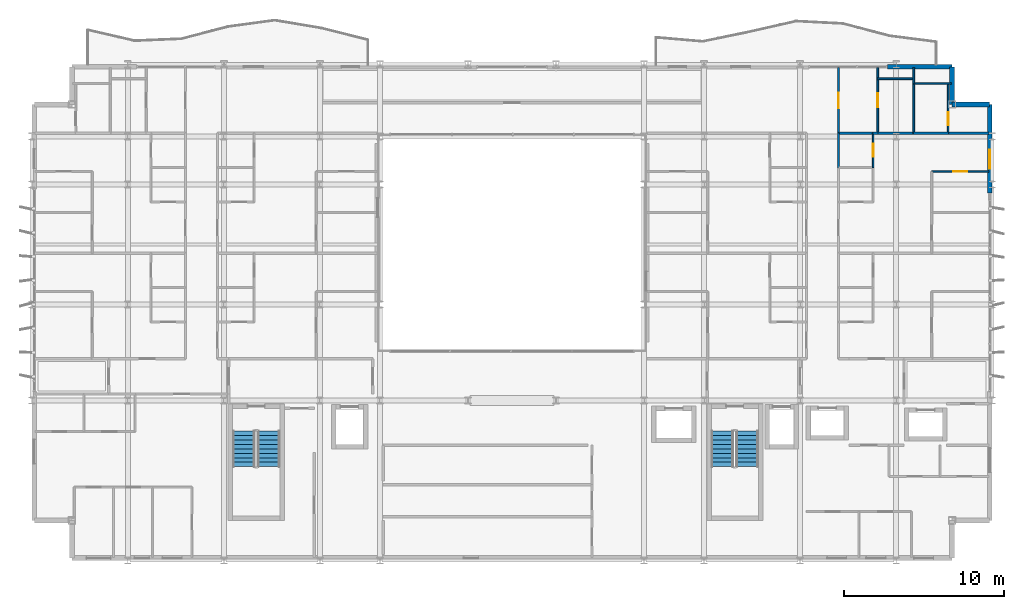
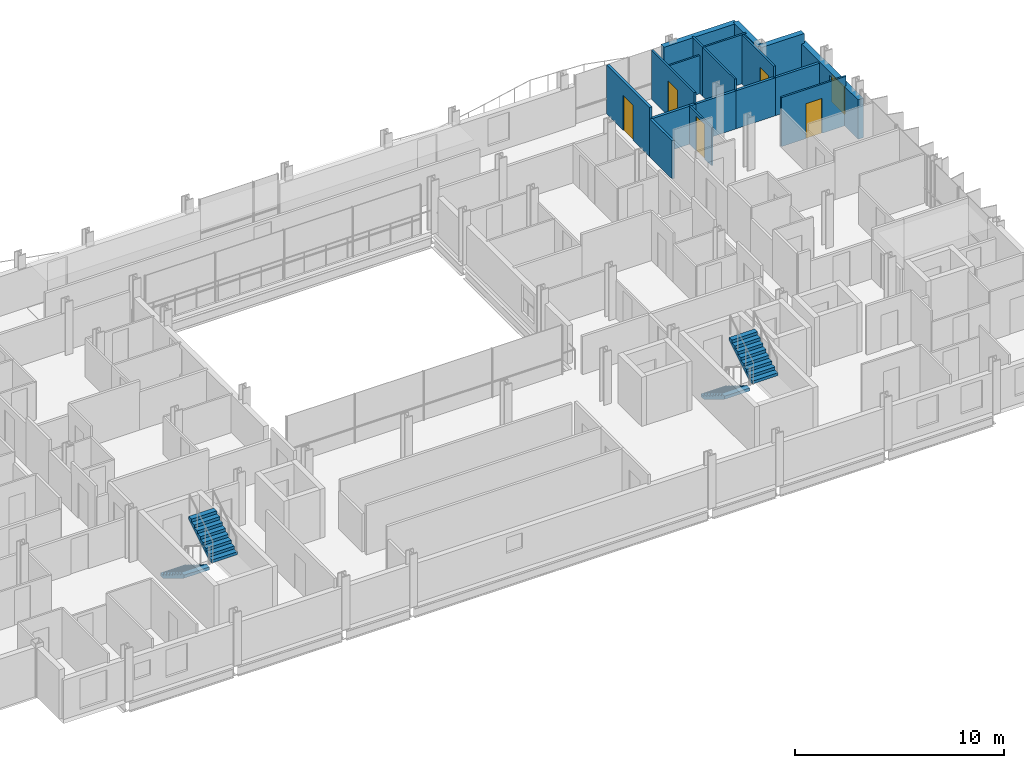
# One storey, part 33 of 39: 19 walls, 5 doors, 4 stair flights, 1 window, 6 openings, 2 elements without a shape of their own.
"""IFC4 building model written with IfcOpenShell, lengths in metres."""

import ifcopenshell
import ifcopenshell.guid

model = None  # the IFC model being written
_history = None  # IfcOwnerHistory: only IFC2X3 demands one
_inside = {}  # id of a spatial element -> (the spatial element, [elements in it])
_under = {}  # id of a project, library or spatial element -> (it, [spatial elements below it])
_declared = {}  # id of a project -> (the project, [libraries it declares])
_typed = {}  # id of a type object -> (the type object, [elements of that type])
_made_of = {}  # id of a material, layer set ... -> (it, [elements and type objects made of it])


def new_model(schema):
    """Start an empty IFC model of exactly this schema.

    Asked for "IFC4X3", IfcOpenShell would pick the latest addendum, in which some entities
    have other attributes; the version numbers below select the first issue.
    IFC2X3 requires an IfcOwnerHistory on every rooted entity: one is made here for all.
    """
    global model, _history
    if schema == "IFC4X3":
        model = ifcopenshell.file(schema_version=(4, 3, 0, 0))
    else:
        model = ifcopenshell.file(schema=schema)
    _inside.clear()
    _under.clear()
    _declared.clear()
    _typed.clear()
    _made_of.clear()
    _history = None
    if model.schema == "IFC2X3":
        org = make("IfcOrganization", Name="unknown")
        user = make(
            "IfcPersonAndOrganization",
            ThePerson=make("IfcPerson", FamilyName="unknown"),
            TheOrganization=org,
        )
        app = make(
            "IfcApplication",
            ApplicationDeveloper=org,
            Version="unknown",
            ApplicationFullName="unknown",
            ApplicationIdentifier="unknown",
        )
        _history = make(
            "IfcOwnerHistory",
            OwningUser=user,
            OwningApplication=app,
            ChangeAction="ADDED",
            CreationDate=0,
        )
    return model


def make(cls, **values):
    """One entity of the class cls with the attributes given. An attribute that is None is left unset."""
    return model.create_entity(
        cls, **{name: value for name, value in values.items() if value is not None}
    )


def rooted(cls, **values):
    """An entity with a GlobalId (a new one), such as an element, a storey or a relation."""
    return make(cls, GlobalId=ifcopenshell.guid.new(), OwnerHistory=_history, **values)


def si_unit(unit_type, name, prefix=None):
    """IfcSIUnit, for example si_unit("LENGTHUNIT", "METRE", prefix="MILLI")."""
    return make("IfcSIUnit", UnitType=unit_type, Prefix=prefix, Name=name)


def assignment(units):
    """IfcUnitAssignment: the units of a project."""
    return None if units is None else make("IfcUnitAssignment", Units=units)


def point(xyz):
    """IfcCartesianPoint."""
    return None if xyz is None else make("IfcCartesianPoint", Coordinates=xyz)


def direction(xyz):
    """IfcDirection."""
    return None if xyz is None else make("IfcDirection", DirectionRatios=xyz)


def frame(location, z_axis=None, x_axis=None):
    """IfcAxis2Placement3D, a coordinate frame: its origin and axes. An axis left out is left unset."""
    return make(
        "IfcAxis2Placement3D",
        Location=point(location),
        Axis=direction(z_axis),
        RefDirection=direction(x_axis),
    )


def frame_2d(location, x_axis=None):
    """IfcAxis2Placement2D, a coordinate frame in the plane: its origin and x axis."""
    return make(
        "IfcAxis2Placement2D", Location=point(location), RefDirection=direction(x_axis)
    )


def origin():
    """The frame at (0, 0, 0) with its axes left unset."""
    return frame((0.0, 0.0, 0.0))


def place(relative_to, where):
    """IfcLocalPlacement: puts the frame where relative to a parent placement (None: the world)."""
    return make(
        "IfcLocalPlacement", PlacementRelTo=relative_to, RelativePlacement=where
    )


def context(
    kind, dimensions, precision=None, world=None, true_north=None, identifier=None
):
    """IfcGeometricRepresentationContext, for example the 3D "Model" context."""
    return make(
        "IfcGeometricRepresentationContext",
        ContextIdentifier=identifier,
        ContextType=kind,
        CoordinateSpaceDimension=dimensions,
        Precision=precision,
        WorldCoordinateSystem=world,
        TrueNorth=true_north,
    )


def subcontext(parent, identifier, kind, view, scale=None):
    """IfcGeometricRepresentationSubContext, for example "Body" below "Model"."""
    return make(
        "IfcGeometricRepresentationSubContext",
        ContextIdentifier=identifier,
        ContextType=kind,
        ParentContext=parent,
        TargetScale=scale,
        TargetView=view,
    )


def project(units=None, contexts=None):
    """IfcProject with its units and contexts."""
    return rooted(
        "IfcProject",
        Name="project",
        RepresentationContexts=contexts,
        UnitsInContext=assignment(units),
    )


def spatial(cls, under=None, at=None, **own):
    """A site, building, storey or space (cls), placed at a placement, below another one or the project."""
    s = rooted(cls, ObjectPlacement=at, **own)
    if under is not None:
        _under.setdefault(under.id(), (under, []))[1].append(s)
    return s


def polyline(points):
    """IfcPolyline through the points."""
    return make("IfcPolyline", Points=[point(p) for p in points])


def profile(cls, at=None, kind="AREA", **sizes):
    """A parametric profile (cls). Its sizes go by their IFC names, for example OverallWidth=200.0."""
    return make(cls, ProfileType=kind, Position=at, **sizes)


def rectangle(**sizes):
    """IfcRectangleProfileDef."""
    return profile("IfcRectangleProfileDef", **sizes)


def outline(outer, holes=None, kind="AREA"):
    """IfcArbitraryClosedProfileDef: a profile drawn as a closed curve; with holes, ...WithVoids."""
    if holes is None:
        return make("IfcArbitraryClosedProfileDef", ProfileType=kind, OuterCurve=outer)
    return make(
        "IfcArbitraryProfileDefWithVoids",
        ProfileType=kind,
        OuterCurve=outer,
        InnerCurves=holes,
    )


def extrude(swept, where, along, depth):
    """IfcExtrudedAreaSolid: the profile swept, set in the frame where, extruded along a direction by depth."""
    return make(
        "IfcExtrudedAreaSolid",
        SweptArea=swept,
        Position=where,
        ExtrudedDirection=direction(along),
        Depth=depth,
    )


def shape(context_of_items, identifier, shape_type, items):
    """IfcShapeRepresentation: the items that make up one representation, for example the "Body"."""
    return make(
        "IfcShapeRepresentation",
        ContextOfItems=context_of_items,
        RepresentationIdentifier=identifier,
        RepresentationType=shape_type,
        Items=items,
    )


def material(Name=None, Category=None):
    """IfcMaterial."""
    return make("IfcMaterial", Name=Name, Category=Category)


def layer(
    of_material, thickness, ventilated=None, Name=None, Category=None, Priority=None
):
    """IfcMaterialLayer: one layer of a wall or slab, of a material (None: an air gap)."""
    return make(
        "IfcMaterialLayer",
        Material=of_material,
        LayerThickness=thickness,
        IsVentilated=ventilated,
        Name=Name,
        Category=Category,
        Priority=Priority,
    )


def layer_set(layers, Name=None):
    """IfcMaterialLayerSet."""
    return make("IfcMaterialLayerSet", MaterialLayers=layers, LayerSetName=Name)


def made_of(thing, what):
    """Note that an element or type object is made of a material, layer set ...; save() writes the relation."""
    if what is not None:
        _made_of.setdefault(what.id(), (what, []))[1].append(thing)
    return thing


def type_object(cls, material=None, **own):
    """A type object (cls), such as IfcWallType, which elements share."""
    return made_of(rooted(cls, **own), material)


def element(
    cls,
    number,
    at=None,
    inside=None,
    cuts=None,
    type_object=None,
    material=None,
    context=None,
    identifier="Body",
    shape_type=None,
    held_by="IfcProductDefinitionShape",
    body=None,
    shapes=None,
    **own,
):
    """One element of the class cls, such as IfcWall. Its Tag is "e" and its number.

    at: its placement. inside: the storey or other place that contains it. cuts: it is an
    opening in that element (IfcRelVoidsElement). A single representation is given by context,
    identifier, shape_type and body (its items); several are given by shapes. held_by: the class
    of the entity that holds the representations. save() writes the other relations.
    """
    e = rooted(cls, Tag="e%d" % number, ObjectPlacement=at, **own)
    if body is not None:
        shapes = [shape(context, identifier, shape_type, body)]
    if shapes is not None:
        e.Representation = make(held_by, Representations=shapes)
    if inside is not None:
        _inside.setdefault(inside.id(), (inside, []))[1].append(e)
    if cuts is not None:
        rooted(
            "IfcRelVoidsElement", RelatingBuildingElement=cuts, RelatedOpeningElement=e
        )
    if type_object is not None:
        _typed.setdefault(type_object.id(), (type_object, []))[1].append(e)
    return made_of(e, material)


def fill(opening, filler):
    """IfcRelFillsElement: the door or window that sits in an opening."""
    return rooted(
        "IfcRelFillsElement",
        RelatingOpeningElement=opening,
        RelatedBuildingElement=filler,
    )


def aggregate(whole, parts):
    """IfcRelAggregates: a whole, such as a stair, and the parts it consists of."""
    return rooted("IfcRelAggregates", RelatingObject=whole, RelatedObjects=parts)


def save(model, path):
    """Write the relations noted so far, then the file.

    IfcRelAggregates (storeys below a building ...), IfcRelContainedInSpatialStructure (elements
    in a storey), IfcRelDefinesByType, IfcRelAssociatesMaterial and IfcRelDeclares: one each for
    every whole, place, type object, material and project.
    """
    for whole, parts in _under.values():
        aggregate(whole, parts)
    for where, things in _inside.values():
        rooted(
            "IfcRelContainedInSpatialStructure",
            RelatedElements=things,
            RelatingStructure=where,
        )
    for kind, things in _typed.values():
        rooted("IfcRelDefinesByType", RelatedObjects=things, RelatingType=kind)
    for what, things in _made_of.values():
        rooted("IfcRelAssociatesMaterial", RelatedObjects=things, RelatingMaterial=what)
    for by, libraries in _declared.values():
        rooted("IfcRelDeclares", RelatingContext=by, RelatedDefinitions=libraries)
    model.write(path)


model = new_model("IFC4")

# Units and contexts
model_context = context("Model", 3, precision=1e-05, world=origin(), true_north=direction((0.0, 1.0)))
body_context = subcontext(model_context, "Body", "Model", "MODEL_VIEW")
ifc_project = project(units=[si_unit("LENGTHUNIT", "METRE"), si_unit("AREAUNIT", "SQUARE_METRE"), si_unit("VOLUMEUNIT", "CUBIC_METRE"), si_unit("PLANEANGLEUNIT", "RADIAN"), si_unit("MASSUNIT", "GRAM", prefix="KILO")], contexts=[model_context])

# Site, building, storey
site_placement = place(None, origin())
site = spatial("IfcSite", under=ifc_project, at=site_placement, CompositionType="ELEMENT")
building_placement = place(site_placement, origin())
building = spatial("IfcBuilding", under=site, at=building_placement, Name="Brevholm Reach", CompositionType="ELEMENT")
storey_placement = place(building_placement, frame((0.0, 0.0, 83.800048828125)))
storey = spatial("IfcBuildingStorey", under=building, at=storey_placement, Name="L24", CompositionType="ELEMENT", Elevation=83.800048828125)

# Walls
ifc_material_1 = material(Name="Concrete C40/50", Category="concrete")
ifc_layer_1 = layer(ifc_material_1, 0.300048828125)
ifc_layer_set_1 = layer_set([ifc_layer_1], Name="Concrete C40/50")
wall_type_1 = type_object("IfcWallType", Name="WAL-EXT-300", PredefinedType="STANDARD", material=ifc_layer_set_1)
for number, where, z_axis, x_axis, name in (
    (1, (59.85009765625, 28.5, 0.0), (0.0, 0.0, 1.0), (-1.0, 0.0, 0.0), "L24 Facade Wall WAL-L24-CNE1"),
    (2, (57.5, 28.5, 0.0), (0.0, 0.0, 1.0), (0.0, 1.0, 0.0), "L24 Facade Wall WAL-L24-CNE2"),
):
    element("IfcWall", number, at=place(storey_placement, frame(where, z_axis=z_axis, x_axis=x_axis)), inside=storey, type_object=wall_type_1, Name=name, PredefinedType="STANDARD", context=body_context, shape_type="SweptSolid", body=[
        extrude(rectangle(XDim=2.35009765625, YDim=0.300048828125, at=frame_2d((1.175048828125, 0.0))), origin(), (0.0, 0.0, 1.0), 2.869873046875),
    ])

# Wall, opening, window
wall_1_placement = place(storey_placement, frame((59.85009765625, 22.949951171875, 0.0), z_axis=(0.0, 0.0, 1.0), x_axis=(0.0, 1.0, 0.0)))
wall_1 = element("IfcWall", 3, at=wall_1_placement, inside=storey, type_object=wall_type_1, Name="L24 Facade Wall WAL-L24-E-N", PredefinedType="STANDARD", context=body_context, shape_type="SweptSolid", body=[
    extrude(rectangle(XDim=5.550048828125, YDim=0.300048828125, at=frame_2d((2.77490234375, 0.0))), origin(), (0.0, 0.0, 1.0), 2.305419921875),
])
opening_1_placement = place(wall_1_placement, frame((1.530029296875, 0.0, 0.486083984375)))
opening_1 = element("IfcOpeningElement", 4, at=opening_1_placement, cuts=wall_1, Name="Opening WN-08", PredefinedType="OPENING", context=body_context, shape_type="SweptSolid", body=[
    extrude(rectangle(XDim=1.199951171875, YDim=1.60009765625, at=frame_2d((0.60009765625, 0.800048828125))), frame((0.0, 0.159912109375, 0.0), z_axis=(0.0, -1.0, 0.0), x_axis=(1.0, 0.0, 0.0)), (0.0, 0.0, 1.0), 0.320068359375),
])
ifc_material_2 = material(Name="Dark Anodised Aluminium and Solar-Control IGU Glass", Category="aluminium")
window_type = type_object("IfcWindowType", Name="WIN-RES-1200", PartitioningType="SINGLE_PANEL", PredefinedType="WINDOW", material=ifc_material_2)
window_placement = place(opening_1_placement, origin())
window = element("IfcWindow", 5, at=window_placement, inside=storey, type_object=window_type, Name="L24 Window WIN-L24-EN-1", OverallHeight=1.60009765625, OverallWidth=1.199951171875, PartitioningType="SINGLE_PANEL", PredefinedType="WINDOW", context=body_context, shape_type="SweptSolid", body=[
    extrude(rectangle(XDim=1.199951171875, YDim=1.60009765625, at=frame_2d((0.60009765625, 0.800048828125))), frame((0.0, 0.030029296875, 0.0), z_axis=(0.0, -1.0, 0.0), x_axis=(1.0, 0.0, 0.0)), (0.0, 0.0, 1.0), 0.06005859375),
])
fill(opening_1, window)

# Wall
wall_2_placement = place(storey_placement, frame((53.449951171875, 30.85009765625, 0.0), z_axis=(0.0, 0.0, 1.0), x_axis=(1.0, 0.0, 0.0)))
element("IfcWall", 6, at=wall_2_placement, inside=storey, type_object=wall_type_1, Name="L24 Facade Wall WAL-L24-NP-E0", PredefinedType="STANDARD", context=body_context, shape_type="SweptSolid", body=[
    extrude(rectangle(XDim=4.050048828125, YDim=0.300048828125, at=frame_2d((2.02490234375, 0.0))), origin(), (0.0, 0.0, 1.0), 2.869873046875),
])

# Wall, opening, door
ifc_material_3 = material(Name="Moisture-Resistant Acoustic Gypsum Stud Partition 100 mm", Category="gypsum")
ifc_layer_2 = layer(ifc_material_3, 0.10009765625)
ifc_layer_set_2 = layer_set([ifc_layer_2], Name="Moisture-Resistant Acoustic Gypsum Stud Partition 100 mm")
wall_type_2 = type_object("IfcWallType", Name="WAL-PRT-100", PredefinedType="PARTITIONING", material=ifc_layer_set_2)
wall_3_placement = place(storey_placement, frame((52.56201171875, 24.550048828125, 0.0), z_axis=(0.0, 0.0, 1.0), x_axis=(0.0, 1.0, 0.0)))
wall_3 = element("IfcWall", 7, at=wall_3_placement, inside=storey, type_object=wall_type_2, Name="L24 Internal Partition 152", PredefinedType="PARTITIONING", context=body_context, shape_type="SweptSolid", body=[
    extrude(rectangle(XDim=2.14990234375, YDim=0.10009765625, at=frame_2d((1.074951171875, 0.0))), origin(), (0.0, 0.0, 1.0), 2.224853515625),
])
opening_2_placement = place(wall_3_placement, frame((0.6650390625, 0.0, 0.0)))
opening_2 = element("IfcOpeningElement", 8, at=opening_2_placement, cuts=wall_3, Name="Opening ID-03", PredefinedType="OPENING", context=body_context, shape_type="SweptSolid", body=[
    extrude(rectangle(XDim=0.820068359375, YDim=2.02001953125, at=frame_2d((0.41015625, 1.010009765625))), frame((0.0, 0.06005859375, 0.0), z_axis=(0.0, -1.0, 0.0), x_axis=(1.0, 0.0, 0.0)), (0.0, 0.0, 1.0), 0.1201171875),
])
ifc_material_4 = material(Name="Moisture-Resistant Painted Timber Internal Bathroom Door", Category="wood")
door_type_1 = type_object("IfcDoorType", Name="DOR-BATH-820", OperationType="NOTDEFINED", PredefinedType="DOOR", material=ifc_material_4)
door_1_placement = place(opening_2_placement, origin())
door_1 = element("IfcDoor", 9, at=door_1_placement, inside=storey, type_object=door_type_1, Name="L24 Internal Door 058", OperationType="SINGLE_SWING_LEFT", OverallHeight=2.02001953125, OverallWidth=0.820068359375, PredefinedType="DOOR", context=body_context, shape_type="SweptSolid", body=[
    extrude(rectangle(XDim=0.820068359375, YDim=2.02001953125, at=frame_2d((0.41015625, 1.010009765625))), frame((0.0, 0.02490234375, 0.0), z_axis=(0.0, -1.0, 0.0), x_axis=(1.0, 0.0, 0.0)), (0.0, 0.0, 1.0), 0.050048828125),
])
fill(opening_2, door_1)

wall_4_placement = place(storey_placement, frame((56.22802734375, 24.300048828125, 0.0), z_axis=(0.0, 0.0, 1.0), x_axis=(1.0, 0.0, 0.0)))
wall_4 = element("IfcWall", 10, at=wall_4_placement, inside=storey, type_object=wall_type_2, Name="L24 Internal Partition 158", PredefinedType="PARTITIONING", context=body_context, shape_type="SweptSolid", body=[
    extrude(rectangle(XDim=3.572021484375, YDim=0.10009765625, at=frame_2d((1.7861328125, 0.0))), origin(), (0.0, 0.0, 1.0), 2.869873046875),
])
opening_3_placement = place(wall_4_placement, frame((1.345947265625, 0.0, 0.0)))
opening_3 = element("IfcOpeningElement", 11, at=opening_3_placement, cuts=wall_4, Name="Opening ID-01", PredefinedType="OPENING", context=body_context, shape_type="SweptSolid", body=[
    extrude(rectangle(XDim=0.8798828125, YDim=2.0400390625, at=frame_2d((0.43994140625, 1.02001953125))), frame((0.0, 0.06005859375, 0.0), z_axis=(0.0, -1.0, 0.0), x_axis=(1.0, 0.0, 0.0)), (0.0, 0.0, 1.0), 0.1201171875),
])
ifc_material_5 = material(Name="Lacquered Ash Solid-Core Acoustic Internal Door", Category="timber")
door_type_2 = type_object("IfcDoorType", Name="DOR-INT-880", OperationType="NOTDEFINED", PredefinedType="DOOR", material=ifc_material_5)
door_2_placement = place(opening_3_placement, origin())
door_2 = element("IfcDoor", 12, at=door_2_placement, inside=storey, type_object=door_type_2, Name="L24 Internal Door 061", OperationType="SINGLE_SWING_RIGHT", OverallHeight=2.0400390625, OverallWidth=0.8798828125, PredefinedType="DOOR", context=body_context, shape_type="SweptSolid", body=[
    extrude(rectangle(XDim=0.8798828125, YDim=2.0400390625, at=frame_2d((0.43994140625, 1.02001953125))), frame((0.0, 0.02490234375, 0.0), z_axis=(0.0, -1.0, 0.0), x_axis=(1.0, 0.0, 0.0)), (0.0, 0.0, 1.0), 0.050048828125),
])
fill(opening_3, door_2)

# Wall
wall_5_placement = place(storey_placement, frame((55.10009765625, 26.7041015625, 0.0), z_axis=(0.0, 0.0, 1.0), x_axis=(0.0, 1.0, 0.0)))
element("IfcWall", 13, at=wall_5_placement, inside=storey, type_object=wall_type_2, Name="L24 Internal Partition 170", PredefinedType="PARTITIONING", context=body_context, shape_type="SweptSolid", body=[
    extrude(rectangle(XDim=3.095947265625, YDim=0.10009765625, at=frame_2d((1.5478515625, 0.0))), origin(), (0.0, 0.0, 1.0), 2.869873046875),
])

# Wall, opening, door
wall_6_placement = place(storey_placement, frame((57.25, 26.7041015625, 0.0), z_axis=(0.0, 0.0, 1.0), x_axis=(0.0, 1.0, 0.0)))
wall_6 = element("IfcWall", 14, at=wall_6_placement, inside=storey, type_object=wall_type_2, Name="L24 Internal Partition 171", PredefinedType="PARTITIONING", context=body_context, shape_type="SweptSolid", body=[
    extrude(rectangle(XDim=3.095947265625, YDim=0.10009765625, at=frame_2d((1.5478515625, 0.0))), origin(), (0.0, 0.0, 1.0), 2.869873046875),
])
opening_4_placement = place(wall_6_placement, frame((0.47802734375, 0.0, 0.0)))
opening_4 = element("IfcOpeningElement", 15, at=opening_4_placement, cuts=wall_6, Name="Opening ID-03", PredefinedType="OPENING", context=body_context, shape_type="SweptSolid", body=[
    extrude(rectangle(XDim=0.820068359375, YDim=2.02001953125, at=frame_2d((0.41015625, 1.010009765625))), frame((0.0, 0.06005859375, 0.0), z_axis=(0.0, -1.0, 0.0), x_axis=(1.0, 0.0, 0.0)), (0.0, 0.0, 1.0), 0.1201171875),
])
door_3_placement = place(opening_4_placement, origin())
door_3 = element("IfcDoor", 16, at=door_3_placement, inside=storey, type_object=door_type_1, Name="L24 Internal Door 064", OperationType="SINGLE_SWING_LEFT", OverallHeight=2.02001953125, OverallWidth=0.820068359375, PredefinedType="DOOR", context=body_context, shape_type="SweptSolid", body=[
    extrude(rectangle(XDim=0.820068359375, YDim=2.02001953125, at=frame_2d((0.41015625, 1.010009765625))), frame((0.0, 0.02490234375, 0.0), z_axis=(0.0, -1.0, 0.0), x_axis=(1.0, 0.0, 0.0)), (0.0, 0.0, 1.0), 0.050048828125),
])
fill(opening_4, door_3)

# Walls
wall_7_placement = place(storey_placement, frame((55.10009765625, 29.800048828125, 0.0), z_axis=(0.0, 0.0, 1.0), x_axis=(1.0, 0.0, 0.0)))
element("IfcWall", 17, at=wall_7_placement, inside=storey, type_object=wall_type_2, Name="L24 Internal Partition 172", PredefinedType="PARTITIONING", context=body_context, shape_type="SweptSolid", body=[
    extrude(rectangle(XDim=2.349853515625, YDim=0.10009765625, at=frame_2d((1.1748046875, 0.0))), origin(), (0.0, 0.0, 1.0), 2.869873046875),
])
wall_8_placement = place(storey_placement, frame((55.10009765625, 29.803955078125, 0.0), z_axis=(0.0, 0.0, 1.0), x_axis=(0.0, 1.0, 0.0)))
element("IfcWall", 18, at=wall_8_placement, inside=storey, type_object=wall_type_2, Name="L24 Internal Partition 173", PredefinedType="PARTITIONING", context=body_context, shape_type="SweptSolid", body=[
    extrude(rectangle(XDim=0.99609375, YDim=0.10009765625, at=frame_2d((0.498046875, 0.0))), origin(), (0.0, 0.0, 1.0), 2.869873046875),
])
wall_9_placement = place(storey_placement, frame((52.85009765625, 30.10009765625, 0.0), z_axis=(0.0, 0.0, 1.0), x_axis=(1.0, 0.0, 0.0)))
element("IfcWall", 19, at=wall_9_placement, inside=storey, type_object=wall_type_2, Name="L24 Internal Partition 174", PredefinedType="PARTITIONING", context=body_context, shape_type="SweptSolid", body=[
    extrude(rectangle(XDim=2.25, YDim=0.10009765625, at=frame_2d((1.125, 0.0))), origin(), (0.0, 0.0, 1.0), 2.224853515625),
])

# Wall, opening, door
wall_10_placement = place(storey_placement, frame((52.85009765625, 26.7041015625, 0.0), z_axis=(0.0, 0.0, 1.0), x_axis=(0.0, 1.0, 0.0)))
wall_10 = element("IfcWall", 20, at=wall_10_placement, inside=storey, type_object=wall_type_2, Name="L24 Internal Partition 175", PredefinedType="PARTITIONING", context=body_context, shape_type="SweptSolid", body=[
    extrude(rectangle(XDim=4.095947265625, YDim=0.10009765625, at=frame_2d((2.0478515625, 0.0))), origin(), (0.0, 0.0, 1.0), 2.869873046875),
])
opening_5_placement = place(wall_10_placement, frame((1.60791015625, 0.0, 0.0)))
opening_5 = element("IfcOpeningElement", 21, at=opening_5_placement, cuts=wall_10, Name="Opening ID-01", PredefinedType="OPENING", context=body_context, shape_type="SweptSolid", body=[
    extrude(rectangle(XDim=0.8798828125, YDim=2.0400390625, at=frame_2d((0.43994140625, 1.02001953125))), frame((0.0, 0.06005859375, 0.0), z_axis=(0.0, -1.0, 0.0), x_axis=(1.0, 0.0, 0.0)), (0.0, 0.0, 1.0), 0.1201171875),
])
door_4_placement = place(opening_5_placement, origin())
door_4 = element("IfcDoor", 22, at=door_4_placement, inside=storey, type_object=door_type_2, Name="L24 Internal Door 065", OperationType="SINGLE_SWING_RIGHT", OverallHeight=2.0400390625, OverallWidth=0.8798828125, PredefinedType="DOOR", context=body_context, shape_type="SweptSolid", body=[
    extrude(rectangle(XDim=0.8798828125, YDim=2.0400390625, at=frame_2d((0.43994140625, 1.02001953125))), frame((0.0, 0.02490234375, 0.0), z_axis=(0.0, -1.0, 0.0), x_axis=(1.0, 0.0, 0.0)), (0.0, 0.0, 1.0), 0.050048828125),
])
fill(opening_5, door_4)

# Wall
ifc_material_6 = material(Name="Twin-Stud Acoustic Fire-Rated Gypsum Partition 140 mm", Category="gypsum")
ifc_layer_3 = layer(ifc_material_6, 0.139892578125)
ifc_layer_set_3 = layer_set([ifc_layer_3], Name="Twin-Stud Acoustic Fire-Rated Gypsum Partition 140 mm")
wall_type_3 = type_object("IfcWallType", Name="WAL-PRT-140", PredefinedType="PARTITIONING", material=ifc_layer_set_3)
wall_11_placement = place(storey_placement, frame((50.39990234375, 24.538818359375, 0.0), z_axis=(0.0, 0.0, 1.0), x_axis=(0.0, 1.0, 0.0)))
element("IfcWall", 23, at=wall_11_placement, inside=storey, type_object=wall_type_3, Name="L24 Internal Partition 050", PredefinedType="PARTITIONING", context=body_context, shape_type="SweptSolid", body=[
    extrude(rectangle(XDim=2.17236328125, YDim=0.139892578125, at=frame_2d((1.086181640625, 0.0))), origin(), (0.0, 0.0, 1.0), 2.224853515625),
])

# Wall, opening, door
wall_12_placement = place(storey_placement, frame((50.39990234375, 26.692626953125, 0.0), z_axis=(0.0, 0.0, 1.0), x_axis=(0.0, 1.0, 0.0)))
wall_12 = element("IfcWall", 24, at=wall_12_placement, inside=storey, type_object=wall_type_3, Name="L24 Internal Partition 053", PredefinedType="PARTITIONING", context=body_context, shape_type="SweptSolid", body=[
    extrude(rectangle(XDim=4.107421875, YDim=0.139892578125, at=frame_2d((2.0537109375, 0.0))), origin(), (0.0, 0.0, 1.0), 2.869873046875),
])
opening_6_placement = place(wall_12_placement, frame((1.57861328125, 0.0, 0.0)))
opening_6 = element("IfcOpeningElement", 25, at=opening_6_placement, cuts=wall_12, Name="Opening ID-30", PredefinedType="OPENING", context=body_context, shape_type="SweptSolid", body=[
    extrude(rectangle(XDim=0.949951171875, YDim=2.050048828125, at=frame_2d((0.47509765625, 1.02490234375))), frame((0.0, 0.079833984375, 0.0), z_axis=(0.0, -1.0, 0.0), x_axis=(1.0, 0.0, 0.0)), (0.0, 0.0, 1.0), 0.159912109375),
])
ifc_material_7 = material(Name="European Oak Veneered Solid-Core Fire Entrance Door", Category="timber")
door_type_3 = type_object("IfcDoorType", Name="DOR-FLT-FD30S", OperationType="NOTDEFINED", PredefinedType="DOOR", material=ifc_material_7)
door_5_placement = place(opening_6_placement, origin())
door_5 = element("IfcDoor", 26, at=door_5_placement, inside=storey, type_object=door_type_3, Name="L24 Internal Door 023", OperationType="SINGLE_SWING_RIGHT", OverallHeight=2.050048828125, OverallWidth=0.949951171875, PredefinedType="DOOR", context=body_context, shape_type="SweptSolid", body=[
    extrude(rectangle(XDim=0.949951171875, YDim=2.050048828125, at=frame_2d((0.47509765625, 1.02490234375))), frame((0.0, 0.02490234375, 0.0), z_axis=(0.0, -1.0, 0.0), x_axis=(1.0, 0.0, 0.0)), (0.0, 0.0, 1.0), 0.050048828125),
])
fill(opening_6, door_5)

# Walls
wall_13_placement = place(storey_placement, frame((50.404052734375, 26.699951171875, 0.0), z_axis=(0.0, 0.0, 1.0), x_axis=(1.0, 0.0, 0.0)))
element("IfcWall", 27, at=wall_13_placement, inside=storey, type_object=wall_type_3, Name="L24 Internal Partition 153", PredefinedType="PARTITIONING", context=body_context, shape_type="SweptSolid", body=[
    extrude(rectangle(XDim=2.157958984375, YDim=0.139892578125, at=frame_2d((1.0791015625, 0.0))), origin(), (0.0, 0.0, 1.0), 2.224853515625),
])
wall_14_placement = place(storey_placement, frame((55.088623046875, 26.699951171875, 0.0), z_axis=(0.0, 0.0, 1.0), x_axis=(1.0, 0.0, 0.0)))
element("IfcWall", 28, at=wall_14_placement, inside=storey, type_object=wall_type_3, Name="L24 Internal Partition 160", PredefinedType="PARTITIONING", context=body_context, shape_type="SweptSolid", body=[
    extrude(rectangle(XDim=2.172607421875, YDim=0.139892578125, at=frame_2d((1.08642578125, 0.0))), origin(), (0.0, 0.0, 1.0), 2.224853515625),
])
wall_15_placement = place(storey_placement, frame((52.838623046875, 26.699951171875, 0.0), z_axis=(0.0, 0.0, 1.0), x_axis=(1.0, 0.0, 0.0)))
element("IfcWall", 29, at=wall_15_placement, inside=storey, type_object=wall_type_3, Name="L24 Internal Partition 161", PredefinedType="PARTITIONING", context=body_context, shape_type="SweptSolid", body=[
    extrude(rectangle(XDim=2.268798828125, YDim=0.139892578125, at=frame_2d((1.13427734375, 0.0))), origin(), (0.0, 0.0, 1.0), 2.224853515625),
])
wall_16_placement = place(storey_placement, frame((57.24267578125, 26.699951171875, 0.0), z_axis=(0.0, 0.0, 1.0), x_axis=(1.0, 0.0, 0.0)))
element("IfcWall", 30, at=wall_16_placement, inside=storey, type_object=wall_type_3, Name="L24 Internal Partition 162", PredefinedType="PARTITIONING", context=body_context, shape_type="SweptSolid", body=[
    extrude(rectangle(XDim=2.557373046875, YDim=0.139892578125, at=frame_2d((1.27880859375, 0.0))), origin(), (0.0, 0.0, 1.0), 2.224853515625),
])
wall_17_placement = place(storey_placement, frame((52.56591796875, 26.699951171875, 0.0), z_axis=(0.0, 0.0, 1.0), x_axis=(1.0, 0.0, 0.0)))
element("IfcWall", 31, at=wall_17_placement, inside=storey, type_object=wall_type_3, Name="L24 Internal Partition 163", PredefinedType="PARTITIONING", context=body_context, shape_type="SweptSolid", body=[
    extrude(rectangle(XDim=0.29150390625, YDim=0.139892578125, at=frame_2d((0.145751953125, 0.0))), origin(), (0.0, 0.0, 1.0), 2.224853515625),
])

# Stair, stair flights
ifc_material_8 = material(Name="Precast Concrete C40/50", Category="concrete")
stair_type = type_object("IfcStairType", Name="STR-ESC-1400", PredefinedType="DOUBLE_RETURN_STAIR", material=ifc_material_8)
stair_1_placement = place(storey_placement, origin())
stair_1 = element("IfcStair", 32, at=stair_1_placement, inside=storey, type_object=stair_type, Name="L24 ST-1", PredefinedType="DOUBLE_RETURN_STAIR")
ifc_material_9 = material(Name="Precast Concrete C40/50", Category="concrete")
ifc_layer_4 = layer(ifc_material_9, 0.18505859375)
ifc_layer_set_4 = layer_set([ifc_layer_4], Name="Precast Concrete C40/50")
stair_flight_type = type_object("IfcStairFlightType", Name="STF-PRC-185", PredefinedType="STRAIGHT", material=ifc_layer_set_4)
stair_flight_1_placement = place(storey_placement, frame((13.25, 8.10009765625, 0.0), z_axis=(0.0, 0.0, 1.0), x_axis=(0.0, -1.0, 0.0)))
stair_flight_1 = element("IfcStairFlight", 33, at=stair_flight_1_placement, type_object=stair_flight_type, Name="ST-1 flight 1", NumberOfRisers=9, NumberOfTreads=8, PredefinedType="STRAIGHT", RiserHeight=0.172222222, TreadLength=0.28, context=body_context, shape_type="SweptSolid", body=[
    extrude(outline(polyline([(0.0, 0.0), (0.0, 0.172119140625), (0.280029296875, 0.172119140625), (0.280029296875, 0.344482421875), (0.56005859375, 0.344482421875), (0.56005859375, 0.5166015625), (0.840087890625, 0.5166015625), (0.840087890625, 0.68896484375), (1.1201171875, 0.68896484375), (1.1201171875, 0.861083984375), (1.39990234375, 0.861083984375), (1.39990234375, 1.033447265625), (1.679931640625, 1.033447265625), (1.679931640625, 1.20556640625), (1.9599609375, 1.20556640625), (1.9599609375, 1.377685546875), (2.239990234375, 1.377685546875), (2.239990234375, 1.550048828125), (2.239990234375, 1.201904296875), (0.2861328125, 0.0), (0.0, 0.0)])), frame((0.0, 0.699951171875, 0.0), z_axis=(0.0, -1.0, 0.0), x_axis=(1.0, 0.0, 0.0)), (0.0, 0.0, 1.0), 1.39990234375),
])
stair_flight_2_placement = place(storey_placement, frame((14.800048828125, 5.860107421875, 1.550048828125), z_axis=(0.0, 0.0, 1.0), x_axis=(0.0, 1.0, 0.0)))
stair_flight_2 = element("IfcStairFlight", 34, at=stair_flight_2_placement, type_object=stair_flight_type, Name="ST-1 flight 2", NumberOfRisers=9, NumberOfTreads=8, PredefinedType="STRAIGHT", RiserHeight=0.172222222, TreadLength=0.28, context=body_context, shape_type="SweptSolid", body=[
    extrude(outline(polyline([(0.0, 0.0), (0.0, 0.172119140625), (0.280029296875, 0.172119140625), (0.280029296875, 0.344482421875), (0.56005859375, 0.344482421875), (0.56005859375, 0.5166015625), (0.840087890625, 0.5166015625), (0.840087890625, 0.68896484375), (1.1201171875, 0.68896484375), (1.1201171875, 0.861083984375), (1.39990234375, 0.861083984375), (1.39990234375, 1.033447265625), (1.679931640625, 1.033447265625), (1.679931640625, 1.20556640625), (1.9599609375, 1.20556640625), (1.9599609375, 1.377685546875), (2.239990234375, 1.377685546875), (2.239990234375, 1.550048828125), (2.239990234375, 1.201904296875), (0.2861328125, 0.0), (0.0, 0.0)])), frame((0.0, 0.699951171875, 0.0), z_axis=(0.0, -1.0, 0.0), x_axis=(1.0, 0.0, 0.0)), (0.0, 0.0, 1.0), 1.39990234375),
])
aggregate(stair_1, [stair_flight_1, stair_flight_2])

stair_2_placement = place(storey_placement, origin())
stair_2 = element("IfcStair", 35, at=stair_2_placement, inside=storey, type_object=stair_type, Name="L24 ST-2", PredefinedType="DOUBLE_RETURN_STAIR")
stair_flight_3_placement = place(storey_placement, frame((43.14990234375, 8.10009765625, 0.0), z_axis=(0.0, 0.0, 1.0), x_axis=(0.0, -1.0, 0.0)))
stair_flight_3 = element("IfcStairFlight", 36, at=stair_flight_3_placement, type_object=stair_flight_type, Name="ST-2 flight 1", NumberOfRisers=9, NumberOfTreads=8, PredefinedType="STRAIGHT", RiserHeight=0.172222222, TreadLength=0.28, context=body_context, shape_type="SweptSolid", body=[
    extrude(outline(polyline([(0.0, 0.0), (0.0, 0.172119140625), (0.280029296875, 0.172119140625), (0.280029296875, 0.344482421875), (0.56005859375, 0.344482421875), (0.56005859375, 0.5166015625), (0.840087890625, 0.5166015625), (0.840087890625, 0.68896484375), (1.1201171875, 0.68896484375), (1.1201171875, 0.861083984375), (1.39990234375, 0.861083984375), (1.39990234375, 1.033447265625), (1.679931640625, 1.033447265625), (1.679931640625, 1.20556640625), (1.9599609375, 1.20556640625), (1.9599609375, 1.377685546875), (2.239990234375, 1.377685546875), (2.239990234375, 1.550048828125), (2.239990234375, 1.201904296875), (0.2861328125, 0.0), (0.0, 0.0)])), frame((0.0, 0.699951171875, 0.0), z_axis=(0.0, -1.0, 0.0), x_axis=(1.0, 0.0, 0.0)), (0.0, 0.0, 1.0), 1.39990234375),
])
stair_flight_4_placement = place(storey_placement, frame((44.699951171875, 5.860107421875, 1.550048828125), z_axis=(0.0, 0.0, 1.0), x_axis=(0.0, 1.0, 0.0)))
stair_flight_4 = element("IfcStairFlight", 37, at=stair_flight_4_placement, type_object=stair_flight_type, Name="ST-2 flight 2", NumberOfRisers=9, NumberOfTreads=8, PredefinedType="STRAIGHT", RiserHeight=0.172222222, TreadLength=0.28, context=body_context, shape_type="SweptSolid", body=[
    extrude(outline(polyline([(0.0, 0.0), (0.0, 0.172119140625), (0.280029296875, 0.172119140625), (0.280029296875, 0.344482421875), (0.56005859375, 0.344482421875), (0.56005859375, 0.5166015625), (0.840087890625, 0.5166015625), (0.840087890625, 0.68896484375), (1.1201171875, 0.68896484375), (1.1201171875, 0.861083984375), (1.39990234375, 0.861083984375), (1.39990234375, 1.033447265625), (1.679931640625, 1.033447265625), (1.679931640625, 1.20556640625), (1.9599609375, 1.20556640625), (1.9599609375, 1.377685546875), (2.239990234375, 1.377685546875), (2.239990234375, 1.550048828125), (2.239990234375, 1.201904296875), (0.2861328125, 0.0), (0.0, 0.0)])), frame((0.0, 0.699951171875, 0.0), z_axis=(0.0, -1.0, 0.0), x_axis=(1.0, 0.0, 0.0)), (0.0, 0.0, 1.0), 1.39990234375),
])
aggregate(stair_2, [stair_flight_3, stair_flight_4])

save(model, "model.ifc")
